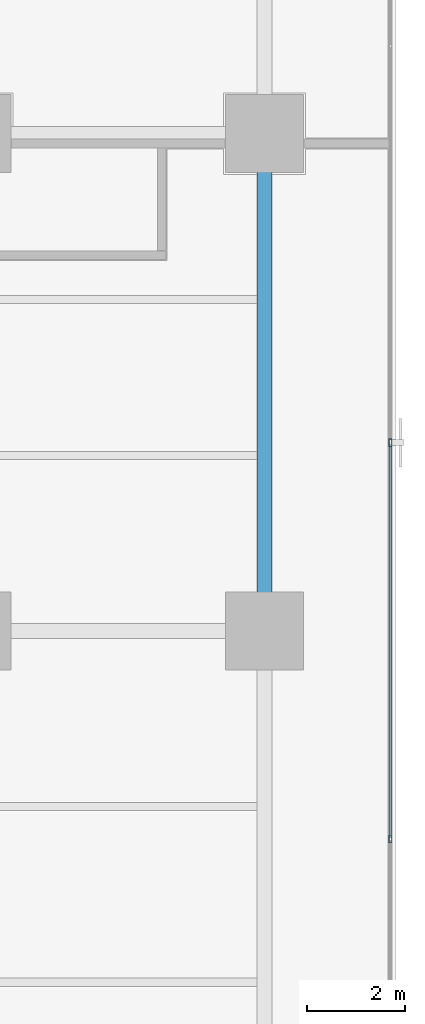
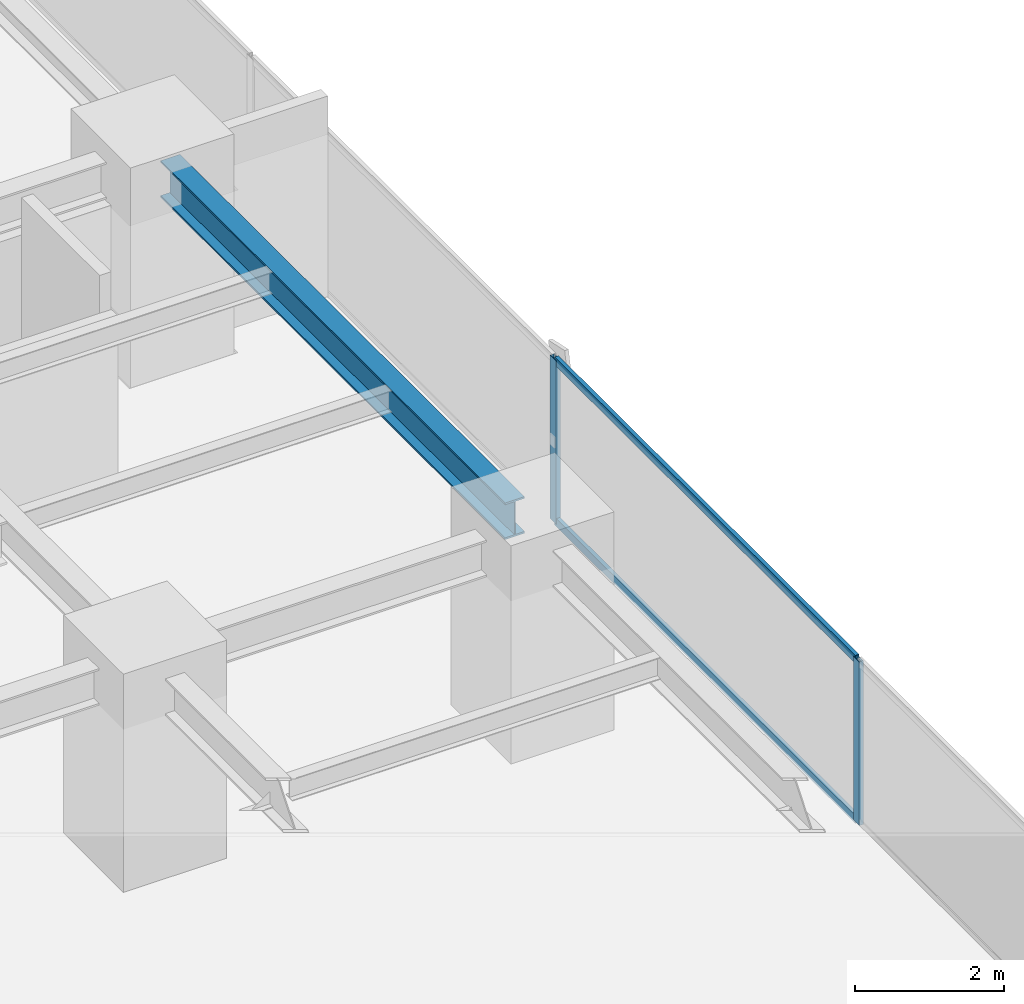
# One storey, part 16 of 36: 4 members, 1 beam, 1 element without a shape of its own.
"""IFC4 building model written with IfcOpenShell, lengths in metres."""

import ifcopenshell
import ifcopenshell.guid

model = None  # the IFC model being written
_history = None  # IfcOwnerHistory: only IFC2X3 demands one
_inside = {}  # id of a spatial element -> (the spatial element, [elements in it])
_under = {}  # id of a project, library or spatial element -> (it, [spatial elements below it])
_declared = {}  # id of a project -> (the project, [libraries it declares])
_typed = {}  # id of a type object -> (the type object, [elements of that type])
_made_of = {}  # id of a material, layer set ... -> (it, [elements and type objects made of it])


def new_model(schema):
    """Start an empty IFC model of exactly this schema.

    Asked for "IFC4X3", IfcOpenShell would pick the latest addendum, in which some entities
    have other attributes; the version numbers below select the first issue.
    IFC2X3 requires an IfcOwnerHistory on every rooted entity: one is made here for all.
    """
    global model, _history
    if schema == "IFC4X3":
        model = ifcopenshell.file(schema_version=(4, 3, 0, 0))
    else:
        model = ifcopenshell.file(schema=schema)
    _inside.clear()
    _under.clear()
    _declared.clear()
    _typed.clear()
    _made_of.clear()
    _history = None
    if model.schema == "IFC2X3":
        org = make("IfcOrganization", Name="unknown")
        user = make(
            "IfcPersonAndOrganization",
            ThePerson=make("IfcPerson", FamilyName="unknown"),
            TheOrganization=org,
        )
        app = make(
            "IfcApplication",
            ApplicationDeveloper=org,
            Version="unknown",
            ApplicationFullName="unknown",
            ApplicationIdentifier="unknown",
        )
        _history = make(
            "IfcOwnerHistory",
            OwningUser=user,
            OwningApplication=app,
            ChangeAction="ADDED",
            CreationDate=0,
        )
    return model


def make(cls, **values):
    """One entity of the class cls with the attributes given. An attribute that is None is left unset."""
    return model.create_entity(
        cls, **{name: value for name, value in values.items() if value is not None}
    )


def rooted(cls, **values):
    """An entity with a GlobalId (a new one), such as an element, a storey or a relation."""
    return make(cls, GlobalId=ifcopenshell.guid.new(), OwnerHistory=_history, **values)


def si_unit(unit_type, name, prefix=None):
    """IfcSIUnit, for example si_unit("LENGTHUNIT", "METRE", prefix="MILLI")."""
    return make("IfcSIUnit", UnitType=unit_type, Prefix=prefix, Name=name)


def assignment(units):
    """IfcUnitAssignment: the units of a project."""
    return None if units is None else make("IfcUnitAssignment", Units=units)


def point(xyz):
    """IfcCartesianPoint."""
    return None if xyz is None else make("IfcCartesianPoint", Coordinates=xyz)


def direction(xyz):
    """IfcDirection."""
    return None if xyz is None else make("IfcDirection", DirectionRatios=xyz)


def frame(location, z_axis=None, x_axis=None):
    """IfcAxis2Placement3D, a coordinate frame: its origin and axes. An axis left out is left unset."""
    return make(
        "IfcAxis2Placement3D",
        Location=point(location),
        Axis=direction(z_axis),
        RefDirection=direction(x_axis),
    )


def frame_2d(location, x_axis=None):
    """IfcAxis2Placement2D, a coordinate frame in the plane: its origin and x axis."""
    return make(
        "IfcAxis2Placement2D", Location=point(location), RefDirection=direction(x_axis)
    )


def origin():
    """The frame at (0, 0, 0) with its axes left unset."""
    return frame((0.0, 0.0, 0.0))


def origin_2d():
    """The frame at (0, 0) in the plane with its x axis left unset."""
    return frame_2d((0.0, 0.0))


def place(relative_to, where):
    """IfcLocalPlacement: puts the frame where relative to a parent placement (None: the world)."""
    return make(
        "IfcLocalPlacement", PlacementRelTo=relative_to, RelativePlacement=where
    )


def context(
    kind, dimensions, precision=None, world=None, true_north=None, identifier=None
):
    """IfcGeometricRepresentationContext, for example the 3D "Model" context."""
    return make(
        "IfcGeometricRepresentationContext",
        ContextIdentifier=identifier,
        ContextType=kind,
        CoordinateSpaceDimension=dimensions,
        Precision=precision,
        WorldCoordinateSystem=world,
        TrueNorth=true_north,
    )


def subcontext(parent, identifier, kind, view, scale=None):
    """IfcGeometricRepresentationSubContext, for example "Body" below "Model"."""
    return make(
        "IfcGeometricRepresentationSubContext",
        ContextIdentifier=identifier,
        ContextType=kind,
        ParentContext=parent,
        TargetScale=scale,
        TargetView=view,
    )


def project(units=None, contexts=None):
    """IfcProject with its units and contexts."""
    return rooted(
        "IfcProject",
        Name="project",
        RepresentationContexts=contexts,
        UnitsInContext=assignment(units),
    )


def spatial(cls, under=None, at=None, **own):
    """A site, building, storey or space (cls), placed at a placement, below another one or the project."""
    s = rooted(cls, ObjectPlacement=at, **own)
    if under is not None:
        _under.setdefault(under.id(), (under, []))[1].append(s)
    return s


def profile(cls, at=None, kind="AREA", **sizes):
    """A parametric profile (cls). Its sizes go by their IFC names, for example OverallWidth=200.0."""
    return make(cls, ProfileType=kind, Position=at, **sizes)


def hollow_rectangle(**sizes):
    """IfcRectangleHollowProfileDef."""
    return profile("IfcRectangleHollowProfileDef", **sizes)


def i_section(**sizes):
    """IfcIShapeProfileDef."""
    return profile("IfcIShapeProfileDef", **sizes)


def extrude(swept, where, along, depth):
    """IfcExtrudedAreaSolid: the profile swept, set in the frame where, extruded along a direction by depth."""
    return make(
        "IfcExtrudedAreaSolid",
        SweptArea=swept,
        Position=where,
        ExtrudedDirection=direction(along),
        Depth=depth,
    )


def shape(context_of_items, identifier, shape_type, items):
    """IfcShapeRepresentation: the items that make up one representation, for example the "Body"."""
    return make(
        "IfcShapeRepresentation",
        ContextOfItems=context_of_items,
        RepresentationIdentifier=identifier,
        RepresentationType=shape_type,
        Items=items,
    )


def source(mapping_origin, context_of_items, identifier, shape_type, items):
    """IfcRepresentationMap: a shape defined once, which mapped items show again and again."""
    return make(
        "IfcRepresentationMap",
        MappingOrigin=mapping_origin,
        MappedRepresentation=shape(context_of_items, identifier, shape_type, items),
    )


def transform(
    local_origin,
    x_axis=None,
    y_axis=None,
    z_axis=None,
    scale=None,
    scale2=None,
    scale3=None,
    uniform=True,
):
    """IfcCartesianTransformationOperator3D, or its non-uniform kind. x_axis, y_axis, z_axis: its Axis1, 2, 3."""
    if uniform:
        return make(
            "IfcCartesianTransformationOperator3D",
            Axis1=direction(x_axis),
            Axis2=direction(y_axis),
            LocalOrigin=point(local_origin),
            Scale=scale,
            Axis3=direction(z_axis),
        )
    return make(
        "IfcCartesianTransformationOperator3DnonUniform",
        Axis1=direction(x_axis),
        Axis2=direction(y_axis),
        LocalOrigin=point(local_origin),
        Scale=scale,
        Axis3=direction(z_axis),
        Scale2=scale2,
        Scale3=scale3,
    )


def mapped(mapping_source, mapping_target):
    """IfcMappedItem: shows the shape of a source again, moved by a transform."""
    return make(
        "IfcMappedItem", MappingSource=mapping_source, MappingTarget=mapping_target
    )


def material(Name=None, Category=None):
    """IfcMaterial."""
    return make("IfcMaterial", Name=Name, Category=Category)


def layer(
    of_material, thickness, ventilated=None, Name=None, Category=None, Priority=None
):
    """IfcMaterialLayer: one layer of a wall or slab, of a material (None: an air gap)."""
    return make(
        "IfcMaterialLayer",
        Material=of_material,
        LayerThickness=thickness,
        IsVentilated=ventilated,
        Name=Name,
        Category=Category,
        Priority=Priority,
    )


def layer_set(layers, Name=None):
    """IfcMaterialLayerSet."""
    return make("IfcMaterialLayerSet", MaterialLayers=layers, LayerSetName=Name)


def material_profile(
    of_material, cross_section, Name=None, Category=None, Priority=None
):
    """IfcMaterialProfile: a cross section and its material."""
    return make(
        "IfcMaterialProfile",
        Name=Name,
        Material=of_material,
        Profile=cross_section,
        Priority=Priority,
        Category=Category,
    )


def profile_set(profiles, Name=None, composite=None):
    """IfcMaterialProfileSet."""
    return make(
        "IfcMaterialProfileSet",
        Name=Name,
        MaterialProfiles=profiles,
        CompositeProfile=composite,
    )


def made_of(thing, what):
    """Note that an element or type object is made of a material, layer set ...; save() writes the relation."""
    if what is not None:
        _made_of.setdefault(what.id(), (what, []))[1].append(thing)
    return thing


def type_object(cls, material=None, **own):
    """A type object (cls), such as IfcWallType, which elements share."""
    return made_of(rooted(cls, **own), material)


def element(
    cls,
    number,
    at=None,
    inside=None,
    cuts=None,
    type_object=None,
    material=None,
    context=None,
    identifier="Body",
    shape_type=None,
    held_by="IfcProductDefinitionShape",
    body=None,
    shapes=None,
    **own,
):
    """One element of the class cls, such as IfcWall. Its Tag is "e" and its number.

    at: its placement. inside: the storey or other place that contains it. cuts: it is an
    opening in that element (IfcRelVoidsElement). A single representation is given by context,
    identifier, shape_type and body (its items); several are given by shapes. held_by: the class
    of the entity that holds the representations. save() writes the other relations.
    """
    e = rooted(cls, Tag="e%d" % number, ObjectPlacement=at, **own)
    if body is not None:
        shapes = [shape(context, identifier, shape_type, body)]
    if shapes is not None:
        e.Representation = make(held_by, Representations=shapes)
    if inside is not None:
        _inside.setdefault(inside.id(), (inside, []))[1].append(e)
    if cuts is not None:
        rooted(
            "IfcRelVoidsElement", RelatingBuildingElement=cuts, RelatedOpeningElement=e
        )
    if type_object is not None:
        _typed.setdefault(type_object.id(), (type_object, []))[1].append(e)
    return made_of(e, material)


def aggregate(whole, parts):
    """IfcRelAggregates: a whole, such as a stair, and the parts it consists of."""
    return rooted("IfcRelAggregates", RelatingObject=whole, RelatedObjects=parts)


def save(model, path):
    """Write the relations noted so far, then the file.

    IfcRelAggregates (storeys below a building ...), IfcRelContainedInSpatialStructure (elements
    in a storey), IfcRelDefinesByType, IfcRelAssociatesMaterial and IfcRelDeclares: one each for
    every whole, place, type object, material and project.
    """
    for whole, parts in _under.values():
        aggregate(whole, parts)
    for where, things in _inside.values():
        rooted(
            "IfcRelContainedInSpatialStructure",
            RelatedElements=things,
            RelatingStructure=where,
        )
    for kind, things in _typed.values():
        rooted("IfcRelDefinesByType", RelatedObjects=things, RelatingType=kind)
    for what, things in _made_of.values():
        rooted("IfcRelAssociatesMaterial", RelatedObjects=things, RelatingMaterial=what)
    for by, libraries in _declared.values():
        rooted("IfcRelDeclares", RelatingContext=by, RelatedDefinitions=libraries)
    model.write(path)


model = new_model("IFC4")

# Units and contexts
model_context = context("Model", 3, precision=1e-05, world=origin(), true_north=direction((0.0, 1.0)))
body_context = subcontext(model_context, "Body", "Model", "MODEL_VIEW")
ifc_project = project(units=[si_unit("LENGTHUNIT", "METRE"), si_unit("AREAUNIT", "SQUARE_METRE"), si_unit("VOLUMEUNIT", "CUBIC_METRE"), si_unit("PLANEANGLEUNIT", "RADIAN"), si_unit("MASSUNIT", "GRAM", prefix="KILO")], contexts=[model_context])

# Site, building, storey
site_placement = place(None, origin())
site = spatial("IfcSite", under=ifc_project, at=site_placement, CompositionType="ELEMENT")
building_placement = place(site_placement, origin())
building = spatial("IfcBuilding", under=site, at=building_placement, Name="Sumidabori Civic Tower", CompositionType="ELEMENT")
storey_placement = place(building_placement, frame((0.0, 0.0, 120.800048828125)))
storey = spatial("IfcBuildingStorey", under=building, at=storey_placement, Name="L31", CompositionType="ELEMENT", Elevation=120.800048828125)

# Beam
ifc_material_1 = material(Name="Steel SN490", Category="steel")
ifc_material_profile_1 = material_profile(ifc_material_1, i_section(OverallWidth=0.300048828125, OverallDepth=0.60009765625, WebThickness=0.015380859375, FlangeThickness=0.030029296875, at=origin_2d()), Name="HE 600 B")
ifc_profile_set_1 = profile_set([ifc_material_profile_1], Name="Steel SN490")
beam_type = type_object("IfcBeamType", Name="BM-GIRD-600", PredefinedType="BEAM", material=ifc_profile_set_1)
shared_shape_1 = source(origin(), body_context, "Body", "SweptSolid", [
    extrude(i_section(OverallWidth=0.300048828125, OverallDepth=0.60009765625, WebThickness=0.015380859375, FlangeThickness=0.030029296875, at=origin_2d()), origin(), (0.0, 0.0, 1.0), 9.239990234375),
])
beam_placement = place(storey_placement, frame((22.800048828125, 0.47998046875, 3.0), z_axis=(0.0, 1.0, 0.0), x_axis=(-1.0, 0.0, 0.0)))
element("IfcBeam", 1, at=beam_placement, inside=storey, type_object=beam_type, Name="Primary Girder L31 GY-41", PredefinedType="BEAM", context=body_context, shape_type="MappedRepresentation", body=[
    mapped(shared_shape_1, transform((0.0, 0.0, 0.0), x_axis=(1.0, 0.0, 0.0), y_axis=(0.0, 1.0, 0.0), z_axis=(0.0, 0.0, 1.0), scale=1.0)),
])

# Curtain wall, members
ifc_material_2 = material(Name="Anodised Bronze Aluminium AW-6063-T6", Category="aluminium")
ifc_layer = layer(ifc_material_2, 0.179931640625, Name="Anodised Bronze Aluminium AW-6063-T6")
ifc_layer_set = layer_set([ifc_layer], Name="Anodised Bronze Aluminium AW-6063-T6")
curtain_wall_type = type_object("IfcCurtainWallType", Name="CW-SYS-3", PredefinedType="NOTDEFINED", material=ifc_layer_set)
curtain_wall_placement = place(storey_placement, origin())
curtain_wall = element("IfcCurtainWall", 2, at=curtain_wall_placement, inside=storey, type_object=curtain_wall_type, Name="Curtain Wall CW:L31:R04", PredefinedType="NOTDEFINED")
ifc_material_profile_2 = material_profile(ifc_material_2, hollow_rectangle(XDim=0.06005859375, YDim=0.1298828125, WallThickness=0.0048828125, at=origin_2d()), Name="ALU TRANSOM 130x60")
ifc_profile_set_2 = profile_set([ifc_material_profile_2], Name="Anodised Bronze Aluminium AW-6063-T6")
member_type_1 = type_object("IfcMemberType", Name="CW-TRN-130", PredefinedType="USERDEFINED", material=ifc_profile_set_2)
shared_shape_2 = source(origin(), body_context, "Body", "SweptSolid", [
    extrude(hollow_rectangle(XDim=0.06005859375, YDim=0.1298828125, WallThickness=0.0048828125, at=origin_2d()), origin(), (0.0, 0.0, 1.0), 8.06298828125),
])
member_1_placement = place(storey_placement, frame((25.3798828125, -4.2314453125, 0.030029296875), z_axis=(0.0, 1.0, 0.0), x_axis=(-1.0, 0.0, 0.0)))
member_1 = element("IfcMember", 3, at=member_1_placement, type_object=member_type_1, Name="CW-3 transom 3.1", ObjectType="TRANSOM", PredefinedType="USERDEFINED", context=body_context, shape_type="MappedRepresentation", body=[
    mapped(shared_shape_2, transform((0.0, 0.0, 0.0), x_axis=(1.0, 0.0, 0.0), y_axis=(0.0, 1.0, 0.0), z_axis=(0.0, 0.0, 1.0), scale=1.0)),
])
member_2_placement = place(storey_placement, frame((25.3798828125, -4.2314453125, 2.64990234375), z_axis=(0.0, 1.0, 0.0), x_axis=(-1.0, 0.0, 0.0)))
member_2 = element("IfcMember", 4, at=member_2_placement, type_object=member_type_1, Name="CW-3 transom 3.2", ObjectType="TRANSOM", PredefinedType="USERDEFINED", context=body_context, shape_type="MappedRepresentation", body=[
    mapped(shared_shape_2, transform((0.0, 0.0, 0.0), x_axis=(1.0, 0.0, 0.0), y_axis=(0.0, 1.0, 0.0), z_axis=(0.0, 0.0, 1.0), scale=1.0)),
])
ifc_material_profile_3 = material_profile(ifc_material_2, hollow_rectangle(XDim=0.06494140625, YDim=0.159912109375, WallThickness=0.0048828125, at=origin_2d()), Name="ALU MULLION 160x65")
ifc_profile_set_3 = profile_set([ifc_material_profile_3], Name="Anodised Bronze Aluminium AW-6063-T6")
member_type_2 = type_object("IfcMemberType", Name="CW-MUL-160", PredefinedType="MULLION", material=ifc_profile_set_3)
shared_shape_3 = source(origin(), body_context, "Body", "SweptSolid", [
    extrude(hollow_rectangle(XDim=0.06494140625, YDim=0.159912109375, WallThickness=0.0048828125, at=origin_2d()), origin(), (0.0, 0.0, 1.0), 2.679931640625),
])
member_3_placement = place(storey_placement, frame((25.3798828125, -4.263916015625, 0.0), z_axis=(0.0, 0.0, 1.0), x_axis=(-1.0, 0.0, 0.0)))
member_3 = element("IfcMember", 5, at=member_3_placement, type_object=member_type_2, Name="CW-3 mullion 3", PredefinedType="MULLION", context=body_context, shape_type="MappedRepresentation", body=[
    mapped(shared_shape_3, transform((0.0, 0.0, 0.0), x_axis=(1.0, 0.0, 0.0), y_axis=(0.0, 1.0, 0.0), z_axis=(0.0, 0.0, 1.0), scale=1.0)),
])
member_4_placement = place(storey_placement, frame((25.3798828125, 3.864013671875, 0.0), z_axis=(0.0, 0.0, 1.0), x_axis=(-1.0, 0.0, 0.0)))
member_4 = element("IfcMember", 6, at=member_4_placement, type_object=member_type_2, Name="CW-3 mullion 4", PredefinedType="MULLION", context=body_context, shape_type="MappedRepresentation", body=[
    mapped(shared_shape_3, transform((0.0, 0.0, 0.0), x_axis=(1.0, 0.0, 0.0), y_axis=(0.0, 1.0, 0.0), z_axis=(0.0, 0.0, 1.0), scale=1.0)),
])
aggregate(curtain_wall, [member_3, member_4, member_1, member_2])

save(model, "model.ifc")
